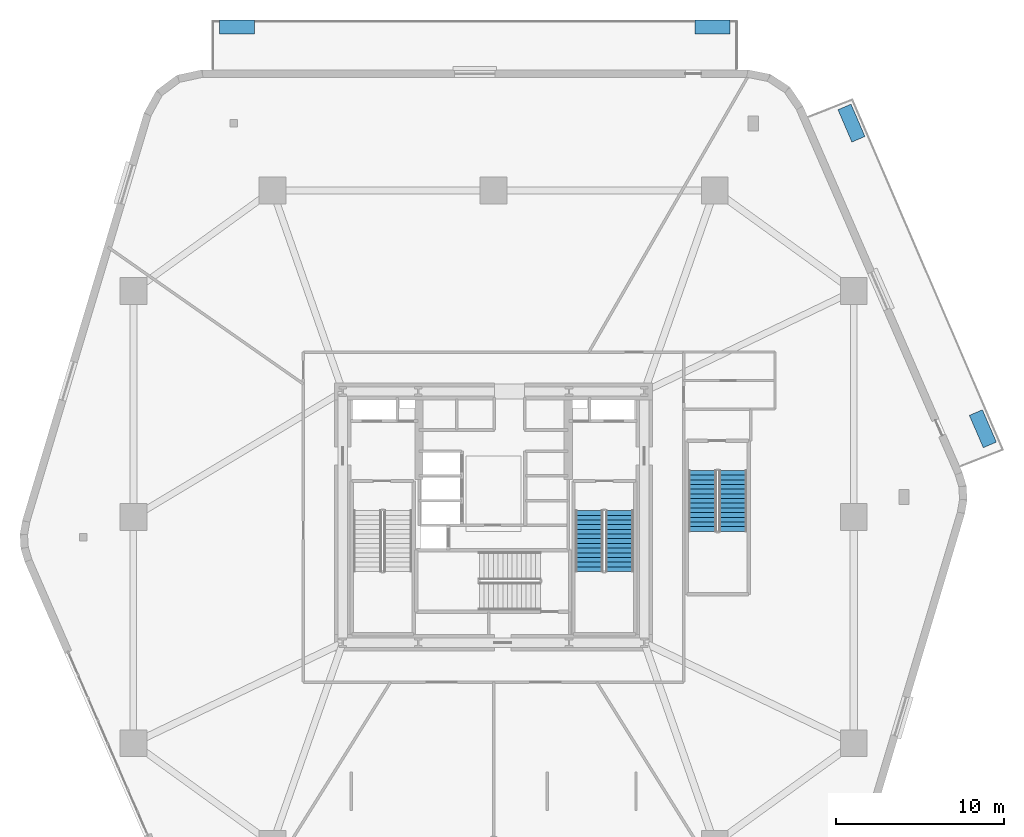
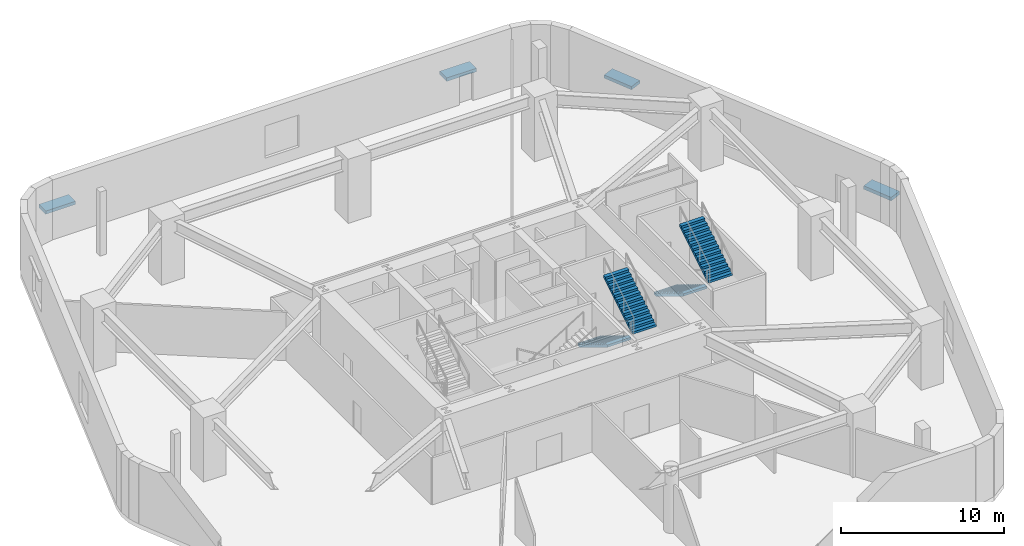
# One storey, part 14 of 17: 4 discrete accessories, 4 stair flights, 2 elements without a shape of their own.
"""IFC4 building model written with IfcOpenShell, lengths in metres."""

from ifc_helpers import new_model, si_unit, direction, frame, origin, origin_2d, place, context, subcontext, project, spatial, polyline, rectangle, outline, extrude, material, type_object, element, aggregate, save


model = new_model("IFC4")

# Units and contexts
model_context = context("Model", 3, precision=1e-05, world=origin(), true_north=direction((0.0, 1.0)))
body_context = subcontext(model_context, "Body", "Model", "MODEL_VIEW")
ifc_project = project(units=[si_unit("LENGTHUNIT", "METRE"), si_unit("AREAUNIT", "SQUARE_METRE"), si_unit("VOLUMEUNIT", "CUBIC_METRE"), si_unit("PLANEANGLEUNIT", "RADIAN"), si_unit("MASSUNIT", "GRAM", prefix="KILO")], contexts=[model_context])

# Site, building, storey
site_placement = place(None, origin())
site = spatial("IfcSite", under=ifc_project, at=site_placement, CompositionType="ELEMENT")
building_placement = place(site_placement, origin())
building = spatial("IfcBuilding", under=site, at=building_placement, Name="Kilnhurst Terrace Hotel", CompositionType="ELEMENT")
storey_placement = place(building_placement, frame((0.0, 0.0, 18.60009765625)))
storey = spatial("IfcBuildingStorey", under=building, at=storey_placement, Name="L03", CompositionType="ELEMENT", Elevation=18.60009765625)

# Stair, stair flights
ifc_material_1 = material(Name="Concrete C50/60", Category="concrete")
stair_type_1 = type_object("IfcStairType", Name="STR-CORE-1660", PredefinedType="HALF_TURN_STAIR", material=ifc_material_1)
stair_1_placement = place(storey_placement, origin())
stair_1 = element("IfcStair", 1, at=stair_1_placement, inside=storey, type_object=stair_type_1, Name="L03 ST-2", PredefinedType="HALF_TURN_STAIR")
stair_flight_type = type_object("IfcStairFlightType", Name="FLT-RC-1660", PredefinedType="STRAIGHT", material=ifc_material_1)
stair_flight_1_placement = place(storey_placement, frame((5.7099609375, 0.389892578125, 0.0), z_axis=(0.0, 0.0, 1.0), x_axis=(0.0, -1.0, 0.0)))
stair_flight_1 = element("IfcStairFlight", 2, at=stair_flight_1_placement, type_object=stair_flight_type, Name="ST-2 flight 1", NumberOfRisers=14, NumberOfTreads=13, PredefinedType="STRAIGHT", RiserHeight=0.171428571, TreadLength=0.28, context=body_context, shape_type="SweptSolid", body=[
    extrude(outline(polyline([(0.0, 0.0), (0.0, 0.17138671875), (0.280029296875, 0.17138671875), (0.280029296875, 0.3427734375), (0.56005859375, 0.3427734375), (0.56005859375, 0.514404296875), (0.840087890625, 0.514404296875), (0.840087890625, 0.685791015625), (1.1201171875, 0.685791015625), (1.1201171875, 0.857177734375), (1.39990234375, 0.857177734375), (1.39990234375, 1.028564453125), (1.679931640625, 1.028564453125), (1.679931640625, 1.199951171875), (1.9599609375, 1.199951171875), (1.9599609375, 1.371337890625), (2.239990234375, 1.371337890625), (2.239990234375, 1.54296875), (2.52001953125, 1.54296875), (2.52001953125, 1.71435546875), (2.800048828125, 1.71435546875), (2.800048828125, 1.8857421875), (3.080078125, 1.8857421875), (3.080078125, 2.05712890625), (3.360107421875, 2.05712890625), (3.360107421875, 2.228515625), (3.639892578125, 2.228515625), (3.639892578125, 2.39990234375), (3.639892578125, 2.052734375), (0.287109375, 0.0), (0.0, 0.0)])), frame((0.0, 0.830078125, 0.0), z_axis=(0.0, -1.0, 0.0), x_axis=(1.0, 0.0, 0.0)), (0.0, 0.0, 1.0), 1.659912109375),
])
stair_flight_2_placement = place(storey_placement, frame((7.52001953125, -3.25, 2.39990234375), z_axis=(0.0, 0.0, 1.0), x_axis=(0.0, 1.0, 0.0)))
stair_flight_2 = element("IfcStairFlight", 3, at=stair_flight_2_placement, type_object=stair_flight_type, Name="ST-2 flight 2", NumberOfRisers=14, NumberOfTreads=13, PredefinedType="STRAIGHT", RiserHeight=0.171428571, TreadLength=0.28, context=body_context, shape_type="SweptSolid", body=[
    extrude(outline(polyline([(0.0, 0.0), (0.0, 0.17138671875), (0.280029296875, 0.17138671875), (0.280029296875, 0.3427734375), (0.56005859375, 0.3427734375), (0.56005859375, 0.514404296875), (0.840087890625, 0.514404296875), (0.840087890625, 0.685791015625), (1.1201171875, 0.685791015625), (1.1201171875, 0.857177734375), (1.39990234375, 0.857177734375), (1.39990234375, 1.028564453125), (1.679931640625, 1.028564453125), (1.679931640625, 1.199951171875), (1.9599609375, 1.199951171875), (1.9599609375, 1.371337890625), (2.239990234375, 1.371337890625), (2.239990234375, 1.54296875), (2.52001953125, 1.54296875), (2.52001953125, 1.71435546875), (2.800048828125, 1.71435546875), (2.800048828125, 1.8857421875), (3.080078125, 1.8857421875), (3.080078125, 2.05712890625), (3.360107421875, 2.05712890625), (3.360107421875, 2.228515625), (3.639892578125, 2.228515625), (3.639892578125, 2.39990234375), (3.639892578125, 2.052734375), (0.287109375, 0.0), (0.0, 0.0)])), frame((0.0, 0.830078125, 0.0), z_axis=(0.0, -1.0, 0.0), x_axis=(1.0, 0.0, 0.0)), (0.0, 0.0, 1.0), 1.659912109375),
])
aggregate(stair_1, [stair_flight_1, stair_flight_2])

ifc_material_2 = material(Name="Concrete C40/50", Category="concrete")
stair_type_2 = type_object("IfcStairType", Name="STR-POD-1660", PredefinedType="HALF_TURN_STAIR", material=ifc_material_2)
stair_2_placement = place(storey_placement, origin())
stair_2 = element("IfcStair", 4, at=stair_2_placement, inside=storey, type_object=stair_type_2, Name="L03 ST-4", PredefinedType="HALF_TURN_STAIR")
stair_flight_3_placement = place(storey_placement, frame((12.47998046875, 2.7900390625, 0.0), z_axis=(0.0, 0.0, 1.0), x_axis=(0.0, -1.0, 0.0)))
stair_flight_3 = element("IfcStairFlight", 5, at=stair_flight_3_placement, type_object=stair_flight_type, Name="ST-4 flight 1", NumberOfRisers=14, NumberOfTreads=13, PredefinedType="STRAIGHT", RiserHeight=0.171428571, TreadLength=0.28, context=body_context, shape_type="SweptSolid", body=[
    extrude(outline(polyline([(0.0, 0.0), (0.0, 0.17138671875), (0.280029296875, 0.17138671875), (0.280029296875, 0.3427734375), (0.56005859375, 0.3427734375), (0.56005859375, 0.514404296875), (0.840087890625, 0.514404296875), (0.840087890625, 0.685791015625), (1.1201171875, 0.685791015625), (1.1201171875, 0.857177734375), (1.39990234375, 0.857177734375), (1.39990234375, 1.028564453125), (1.679931640625, 1.028564453125), (1.679931640625, 1.199951171875), (1.9599609375, 1.199951171875), (1.9599609375, 1.371337890625), (2.239990234375, 1.371337890625), (2.239990234375, 1.54296875), (2.52001953125, 1.54296875), (2.52001953125, 1.71435546875), (2.800048828125, 1.71435546875), (2.800048828125, 1.8857421875), (3.080078125, 1.8857421875), (3.080078125, 2.05712890625), (3.360107421875, 2.05712890625), (3.360107421875, 2.228515625), (3.639892578125, 2.228515625), (3.639892578125, 2.39990234375), (3.639892578125, 2.052734375), (0.287109375, 0.0), (0.0, 0.0)])), frame((0.0, 0.830078125, 0.0), z_axis=(0.0, -1.0, 0.0), x_axis=(1.0, 0.0, 0.0)), (0.0, 0.0, 1.0), 1.659912109375),
])
stair_flight_4_placement = place(storey_placement, frame((14.2900390625, -0.85009765625, 2.39990234375), z_axis=(0.0, 0.0, 1.0), x_axis=(0.0, 1.0, 0.0)))
stair_flight_4 = element("IfcStairFlight", 6, at=stair_flight_4_placement, type_object=stair_flight_type, Name="ST-4 flight 2", NumberOfRisers=14, NumberOfTreads=13, PredefinedType="STRAIGHT", RiserHeight=0.171428571, TreadLength=0.28, context=body_context, shape_type="SweptSolid", body=[
    extrude(outline(polyline([(0.0, 0.0), (0.0, 0.17138671875), (0.280029296875, 0.17138671875), (0.280029296875, 0.3427734375), (0.56005859375, 0.3427734375), (0.56005859375, 0.514404296875), (0.840087890625, 0.514404296875), (0.840087890625, 0.685791015625), (1.1201171875, 0.685791015625), (1.1201171875, 0.857177734375), (1.39990234375, 0.857177734375), (1.39990234375, 1.028564453125), (1.679931640625, 1.028564453125), (1.679931640625, 1.199951171875), (1.9599609375, 1.199951171875), (1.9599609375, 1.371337890625), (2.239990234375, 1.371337890625), (2.239990234375, 1.54296875), (2.52001953125, 1.54296875), (2.52001953125, 1.71435546875), (2.800048828125, 1.71435546875), (2.800048828125, 1.8857421875), (3.080078125, 1.8857421875), (3.080078125, 2.05712890625), (3.360107421875, 2.05712890625), (3.360107421875, 2.228515625), (3.639892578125, 2.228515625), (3.639892578125, 2.39990234375), (3.639892578125, 2.052734375), (0.287109375, 0.0), (0.0, 0.0)])), frame((0.0, 0.830078125, 0.0), z_axis=(0.0, -1.0, 0.0), x_axis=(1.0, 0.0, 0.0)), (0.0, 0.0, 1.0), 1.659912109375),
])
aggregate(stair_2, [stair_flight_3, stair_flight_4])

# Discrete accessories
ifc_material_3 = material(Name="Precast Concrete C40/50 Shrub Planter", Category="concrete")
discrete_accessory_type_1 = type_object("IfcDiscreteAccessoryType", Name="PLN-SHRUB-240", PredefinedType="USERDEFINED", material=ifc_material_3)
for number, where, z_axis, x_axis, name in (
    (7, (21.36376953125, 23.519287109375, 0.0), (0.0, 0.0, 1.0), (-0.394968347643, 0.918694728602, 0.0), "L03 Structural Tree Planter Box PLANTER TERR-1.2"),
    (8, (-15.31005859375, 29.25, 0.0), (0.0, 0.0, 1.0), (-1.0, 0.0, 0.0), "L03 Structural Tree Planter Box PLANTER TERR-2.2"),
):
    element("IfcDiscreteAccessory", number, at=place(storey_placement, frame(where, z_axis=z_axis, x_axis=x_axis)), inside=storey, type_object=discrete_accessory_type_1, Name=name, ObjectType="PLANTER", PredefinedType="USERDEFINED", context=body_context, shape_type="SweptSolid", body=[
        extrude(rectangle(XDim=2.10009765625, YDim=0.85009765625, at=origin_2d()), origin(), (0.0, 0.0, 1.0), 0.239990234375),
    ])
ifc_material_4 = material(Name="Precast Concrete C40/50 Tree Planter", Category="concrete")
discrete_accessory_type_2 = type_object("IfcDiscreteAccessoryType", Name="PLN-TREE-260", PredefinedType="USERDEFINED", material=ifc_material_4)
for number, where, z_axis, x_axis, name in (
    (9, (29.207275390625, 5.275390625, 0.0), (0.0, 0.0, 1.0), (-0.394968347643, 0.918694728602, 0.0), "L03 Structural Tree Planter Box PLANTER TERR-1.1"),
    (10, (13.0673828125, 29.25, 0.0), (0.0, 0.0, 1.0), (-1.0, 0.0, 0.0), "L03 Structural Tree Planter Box PLANTER TERR-2.1"),
):
    element("IfcDiscreteAccessory", number, at=place(storey_placement, frame(where, z_axis=z_axis, x_axis=x_axis)), inside=storey, type_object=discrete_accessory_type_2, Name=name, ObjectType="PLANTER", PredefinedType="USERDEFINED", context=body_context, shape_type="SweptSolid", body=[
        extrude(rectangle(XDim=2.10009765625, YDim=0.85009765625, at=origin_2d()), origin(), (0.0, 0.0, 1.0), 0.260009765625),
    ])

save(model, "model.ifc")
